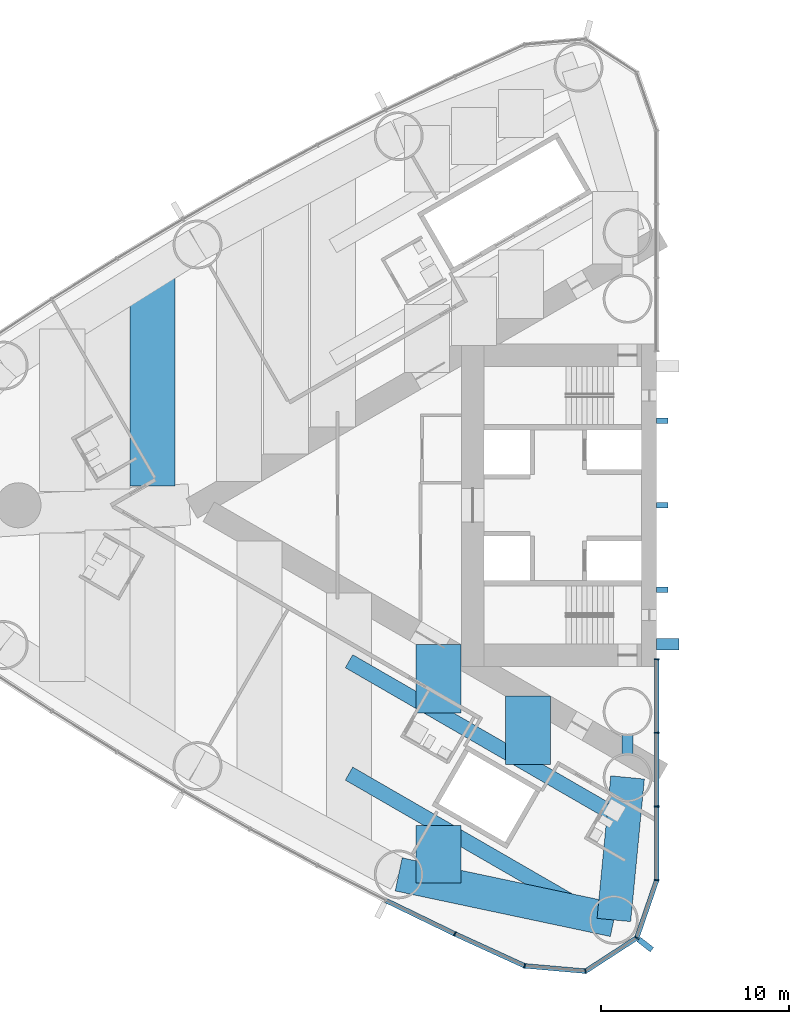
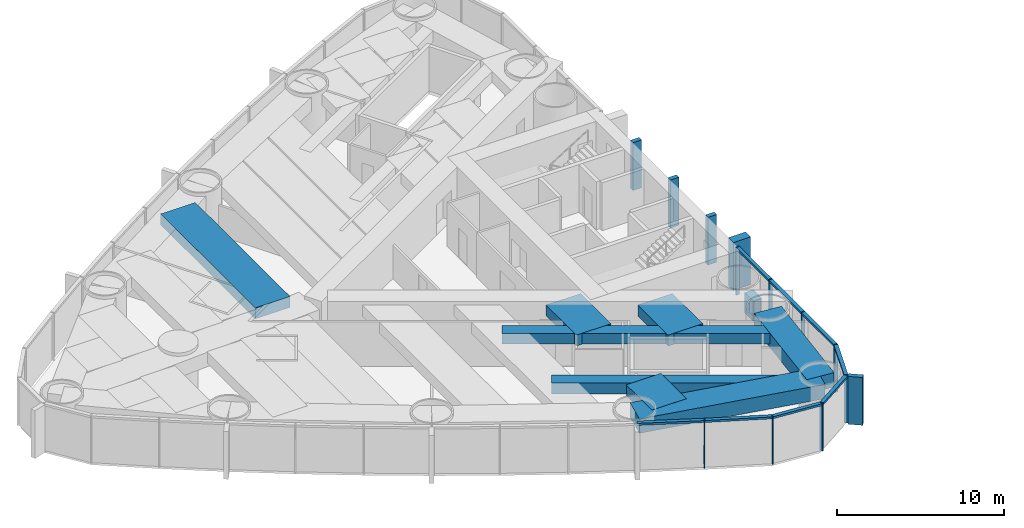
# One storey, part 3 of 18: 21 members, 9 beams, 1 element without a shape of its own.
"""IFC4 building model written with IfcOpenShell, lengths in metres."""

from ifc_helpers import new_model, si_unit, direction, frame, origin, origin_2d, place, context, subcontext, project, spatial, rectangle, hollow_rectangle, extrude, material, material_profile, profile_set, type_object, element, aggregate, save


model = new_model("IFC4")

# Units and contexts
model_context = context("Model", 3, precision=1e-05, world=origin(), true_north=direction((0.0, 1.0)))
body_context = subcontext(model_context, "Body", "Model", "MODEL_VIEW")
ifc_project = project(units=[si_unit("LENGTHUNIT", "METRE"), si_unit("AREAUNIT", "SQUARE_METRE"), si_unit("VOLUMEUNIT", "CUBIC_METRE"), si_unit("PLANEANGLEUNIT", "RADIAN"), si_unit("MASSUNIT", "GRAM", prefix="KILO")], contexts=[model_context])

# Site, building, storey
site_placement = place(None, origin())
site = spatial("IfcSite", under=ifc_project, at=site_placement, CompositionType="ELEMENT")
building_placement = place(site_placement, origin())
building = spatial("IfcBuilding", under=site, at=building_placement, Name="Lancet Gate Hotel", CompositionType="ELEMENT")
storey_placement = place(building_placement, frame((0.0, 0.0, 108.10009765625)))
storey = spatial("IfcBuildingStorey", under=building, at=storey_placement, Name="L28", CompositionType="ELEMENT", Elevation=108.10009765625)

# Curtain wall, members
ifc_material_1 = material(Name="Aluminium curtain wall", Category="aluminium")
curtain_wall_type = type_object("IfcCurtainWallType", Name="Tower unitised curtain wall", PredefinedType="USERDEFINED", material=ifc_material_1)
curtain_wall_placement = place(storey_placement, origin())
curtain_wall = element("IfcCurtainWall", 1, at=curtain_wall_placement, inside=storey, type_object=curtain_wall_type, Name="T1 L28 curtain wall 1", ObjectType="UNITISED CURTAIN WALL", PredefinedType="USERDEFINED")
ifc_material_2 = material(Name="Aluminium mullion", Category="aluminium")
ifc_material_profile_1 = material_profile(ifc_material_2, rectangle(XDim=0.06494140625, YDim=0.25, at=origin_2d()), Name="MULLION 65x250")
ifc_profile_set_1 = profile_set([ifc_material_profile_1], Name="Aluminium mullion")
member_type_1 = type_object("IfcMemberType", Name="Aluminium mullion 65x250", PredefinedType="MULLION", material=ifc_profile_set_1)
member_1_placement = place(storey_placement, frame((-38.25244140625, -22.83642578125, 0.0), z_axis=(0.0, 0.0, 1.0), x_axis=(0.904719609771, -0.426007544178, 0.0)))
member_1 = element("IfcMember", 2, at=member_1_placement, type_object=member_type_1, Name="T1 L28 curtain wall 1 mullion 29", PredefinedType="MULLION", context=body_context, shape_type="SweptSolid", body=[
    extrude(rectangle(XDim=0.06494140625, YDim=0.25, at=origin_2d()), origin(), (0.0, 0.0, 1.0), 3.5),
])
member_2_placement = place(storey_placement, frame((-34.5322265625, -24.53955078125, 0.0), z_axis=(0.0, 0.0, 1.0), x_axis=(0.961653318232, -0.27426792655, 0.0)))
member_2 = element("IfcMember", 3, at=member_2_placement, type_object=member_type_1, Name="T1 L28 curtain wall 1 mullion 30", PredefinedType="MULLION", context=body_context, shape_type="SweptSolid", body=[
    extrude(rectangle(XDim=0.06494140625, YDim=0.25, at=origin_2d()), origin(), (0.0, 0.0, 1.0), 3.5),
])
member_3_placement = place(storey_placement, frame((-31.289306640625, -24.822265625, 0.0), z_axis=(0.0, 0.0, 1.0), x_axis=(0.970242142288, 0.242136707934, 0.0)))
member_3 = element("IfcMember", 4, at=member_3_placement, type_object=member_type_1, Name="T1 L28 curtain wall 1 mullion 31", PredefinedType="MULLION", context=body_context, shape_type="SweptSolid", body=[
    extrude(rectangle(XDim=0.06494140625, YDim=0.25, at=origin_2d()), origin(), (0.0, 0.0, 1.0), 3.5),
])
member_4_placement = place(storey_placement, frame((-28.5595703125, -23.049072265625, 0.0), z_axis=(0.0, 0.0, 1.0), x_axis=(0.615574240878, 0.788078900851, 0.0)))
member_4 = element("IfcMember", 5, at=member_4_placement, type_object=member_type_1, Name="T1 L28 curtain wall 1 mullion 32", PredefinedType="MULLION", context=body_context, shape_type="SweptSolid", body=[
    extrude(rectangle(XDim=0.06494140625, YDim=0.25, at=origin_2d()), origin(), (0.0, 0.0, 1.0), 3.5),
])
member_5_placement = place(storey_placement, frame((-27.5, -19.97119140625, 0.0), z_axis=(0.0, 0.0, 1.0), x_axis=(0.149634446211, 0.988741388082, 0.0)))
member_5 = element("IfcMember", 6, at=member_5_placement, type_object=member_type_1, Name="T1 L28 curtain wall 1 mullion 33", PredefinedType="MULLION", context=body_context, shape_type="SweptSolid", body=[
    extrude(rectangle(XDim=0.06494140625, YDim=0.25, at=origin_2d()), origin(), (0.0, 0.0, 1.0), 3.5),
])
member_6_placement = place(storey_placement, frame((-27.5, -16.04736328125, 0.0), z_axis=(0.0, 0.0, 1.0), x_axis=(0.0, 1.0, 0.0)))
member_6 = element("IfcMember", 7, at=member_6_placement, type_object=member_type_1, Name="T1 L28 curtain wall 1 mullion 34", PredefinedType="MULLION", context=body_context, shape_type="SweptSolid", body=[
    extrude(rectangle(XDim=0.06494140625, YDim=0.25, at=origin_2d()), origin(), (0.0, 0.0, 1.0), 3.5),
])
member_7_placement = place(storey_placement, frame((-27.5, -12.123779296875, 0.0), z_axis=(0.0, 0.0, 1.0), x_axis=(0.0, 1.0, 0.0)))
member_7 = element("IfcMember", 8, at=member_7_placement, type_object=member_type_1, Name="T1 L28 curtain wall 1 mullion 35", PredefinedType="MULLION", context=body_context, shape_type="SweptSolid", body=[
    extrude(rectangle(XDim=0.06494140625, YDim=0.25, at=origin_2d()), origin(), (0.0, 0.0, 1.0), 3.5),
])
member_8_placement = place(storey_placement, frame((-27.5, -8.199951171875, 0.0), z_axis=(0.0, 0.0, 1.0), x_axis=(0.0, 1.0, 0.0)))
member_8 = element("IfcMember", 9, at=member_8_placement, type_object=member_type_1, Name="T1 L28 curtain wall 1 mullion 36", PredefinedType="MULLION", context=body_context, shape_type="SweptSolid", body=[
    extrude(rectangle(XDim=0.06494140625, YDim=0.25, at=origin_2d()), origin(), (0.0, 0.0, 1.0), 3.5),
])
ifc_material_3 = material(Name="Aluminium transom", Category="aluminium")
ifc_material_profile_2 = material_profile(ifc_material_3, rectangle(XDim=0.25, YDim=0.14990234375, at=origin_2d()), Name="TRANSOM 250x150")
ifc_profile_set_2 = profile_set([ifc_material_profile_2], Name="Aluminium transom")
member_type_2 = type_object("IfcMemberType", Name="Aluminium transom 250x150", PredefinedType="USERDEFINED", material=ifc_profile_set_2)
member_9_placement = place(storey_placement, frame((-41.906005859375, -21.067626953125, 3.4248046875), z_axis=(0.900065677074, -0.435754262117, 0.0), x_axis=(0.435754262117, 0.900065677074, 0.0)))
member_9 = element("IfcMember", 10, at=member_9_placement, type_object=member_type_2, Name="T1 L28 curtain wall 1 transom 28", ObjectType="TRANSOM", PredefinedType="USERDEFINED", context=body_context, shape_type="SweptSolid", body=[
    extrude(rectangle(XDim=0.25, YDim=0.14990234375, at=origin_2d()), origin(), (0.0, 0.0, 1.0), 4.026611328125),
])
member_10_placement = place(storey_placement, frame((-38.222900390625, -22.849853515625, 3.4248046875), z_axis=(0.909252284196, -0.416245460857, 0.0), x_axis=(0.416245460857, 0.909252284196, 0.0)))
member_10 = element("IfcMember", 11, at=member_10_placement, type_object=member_type_2, Name="T1 L28 curtain wall 1 transom 29", ObjectType="TRANSOM", PredefinedType="USERDEFINED", context=body_context, shape_type="SweptSolid", body=[
    extrude(rectangle(XDim=0.25, YDim=0.14990234375, at=origin_2d()), origin(), (0.0, 0.0, 1.0), 4.026611328125),
])
member_11_placement = place(storey_placement, frame((-34.499755859375, -24.542236328125, 3.4248046875), z_axis=(0.996213545522, -0.086940046686, 0.0), x_axis=(0.086940046686, 0.996213545522, 0.0)))
member_11 = element("IfcMember", 12, at=member_11_placement, type_object=member_type_2, Name="T1 L28 curtain wall 1 transom 30", ObjectType="TRANSOM", PredefinedType="USERDEFINED", context=body_context, shape_type="SweptSolid", body=[
    extrude(rectangle(XDim=0.25, YDim=0.14990234375, at=origin_2d()), origin(), (0.0, 0.0, 1.0), 3.18994140625),
])
member_12_placement = place(storey_placement, frame((-31.261962890625, -24.8046875, 3.4248046875), z_axis=(0.838550259452, 0.544824249068, 0.0), x_axis=(-0.544824249068, 0.838550259452, 0.0)))
member_12 = element("IfcMember", 13, at=member_12_placement, type_object=member_type_2, Name="T1 L28 curtain wall 1 transom 31", ObjectType="TRANSOM", PredefinedType="USERDEFINED", context=body_context, shape_type="SweptSolid", body=[
    extrude(rectangle(XDim=0.25, YDim=0.14990234375, at=origin_2d()), origin(), (0.0, 0.0, 1.0), 3.190185546875),
])
member_13_placement = place(storey_placement, frame((-28.549072265625, -23.018310546875, 3.4248046875), z_axis=(0.32553312754, 0.945530635609, 0.0), x_axis=(-0.945530635609, 0.32553312754, 0.0)))
member_13 = element("IfcMember", 14, at=member_13_placement, type_object=member_type_2, Name="T1 L28 curtain wall 1 transom 32", ObjectType="TRANSOM", PredefinedType="USERDEFINED", context=body_context, shape_type="SweptSolid", body=[
    extrude(rectangle(XDim=0.25, YDim=0.14990234375, at=origin_2d()), origin(), (0.0, 0.0, 1.0), 3.1904296875),
])
member_14_placement = place(storey_placement, frame((-27.5, -19.9384765625, 3.4248046875), z_axis=(0.0, 1.0, 0.0), x_axis=(-1.0, 0.0, 0.0)))
member_14 = element("IfcMember", 15, at=member_14_placement, type_object=member_type_2, Name="T1 L28 curtain wall 1 transom 33", ObjectType="TRANSOM", PredefinedType="USERDEFINED", context=body_context, shape_type="SweptSolid", body=[
    extrude(rectangle(XDim=0.25, YDim=0.14990234375, at=origin_2d()), origin(), (0.0, 0.0, 1.0), 3.858642578125),
])
member_15_placement = place(storey_placement, frame((-27.5, -16.014892578125, 3.4248046875), z_axis=(0.0, 1.0, 0.0), x_axis=(-1.0, 0.0, 0.0)))
member_15 = element("IfcMember", 16, at=member_15_placement, type_object=member_type_2, Name="T1 L28 curtain wall 1 transom 34", ObjectType="TRANSOM", PredefinedType="USERDEFINED", context=body_context, shape_type="SweptSolid", body=[
    extrude(rectangle(XDim=0.25, YDim=0.14990234375, at=origin_2d()), origin(), (0.0, 0.0, 1.0), 3.858642578125),
])
member_16_placement = place(storey_placement, frame((-27.5, -12.09130859375, 3.4248046875), z_axis=(0.0, 1.0, 0.0), x_axis=(-1.0, 0.0, 0.0)))
member_16 = element("IfcMember", 17, at=member_16_placement, type_object=member_type_2, Name="T1 L28 curtain wall 1 transom 35", ObjectType="TRANSOM", PredefinedType="USERDEFINED", context=body_context, shape_type="SweptSolid", body=[
    extrude(rectangle(XDim=0.25, YDim=0.14990234375, at=origin_2d()), origin(), (0.0, 0.0, 1.0), 3.85888671875),
])

# Beams
ifc_material_4 = material(Name="Concrete C50/60", Category="concrete")
ifc_material_profile_3 = material_profile(ifc_material_4, rectangle(XDim=1.800048828125, YDim=1.050048828125, at=origin_2d()), Name="RC 1800x1050")
ifc_profile_set_3 = profile_set([ifc_material_profile_3], Name="Concrete C50/60")
beam_type_1 = type_object("IfcBeamType", Name="Edge beam RC 1800x1050", PredefinedType="SPANDREL", material=ifc_profile_set_3)
beam_1_placement = place(storey_placement, frame((-41.244873046875, -19.665771484375, 2.724853515625), z_axis=(0.978282156247, -0.207277646573, 0.0), x_axis=(0.207277646573, 0.978282156247, 0.0)))
element("IfcBeam", 18, at=beam_1_placement, inside=storey, type_object=beam_type_1, Name="T1 edge beam EB1 L28", PredefinedType="SPANDREL", context=body_context, shape_type="SweptSolid", body=[
    extrude(rectangle(XDim=1.800048828125, YDim=1.050048828125, at=origin_2d()), origin(), (0.0, 0.0, 1.0), 11.71826171875),
])
beam_2_placement = place(storey_placement, frame((-29.050048828125, -14.5, 2.724853515625), z_axis=(-0.095802643786, -0.995400348324, 0.0), x_axis=(0.995400348324, -0.095802643786, 0.0)))
element("IfcBeam", 19, at=beam_2_placement, inside=storey, type_object=beam_type_1, Name="T1 edge beam EB1 L28", PredefinedType="SPANDREL", context=body_context, shape_type="SweptSolid", body=[
    extrude(rectangle(XDim=1.800048828125, YDim=1.050048828125, at=origin_2d()), origin(), (0.0, 0.0, 1.0), 7.6298828125),
])

# Member
ifc_material_5 = material(Name="Concrete C60/75", Category="concrete")
ifc_material_profile_4 = material_profile(ifc_material_5, rectangle(XDim=0.60009765625, YDim=1.199951171875, at=origin_2d()), Name="FIN 600x1200")
ifc_profile_set_4 = profile_set([ifc_material_profile_4], Name="Concrete C60/75")
member_type_3 = type_object("IfcMemberType", Name="Exposed concrete buttress pilaster 600x1200", PredefinedType="USERDEFINED", material=ifc_profile_set_4)
member_17_placement = place(storey_placement, frame((-26.909912109375, -7.39990234375, 0.0), z_axis=(0.0, 0.0, 1.0), x_axis=(0.0, 1.0, 0.0)))
element("IfcMember", 20, at=member_17_placement, inside=storey, type_object=member_type_3, Name="T1 buttress pilaster N L28", ObjectType="FIN", PredefinedType="USERDEFINED", context=body_context, shape_type="SweptSolid", body=[
    extrude(rectangle(XDim=0.60009765625, YDim=1.199951171875, at=origin_2d()), origin(), (0.0, 0.0, 1.0), 3.5),
])

ifc_material_6 = material(Name="Precast concrete C50/60", Category="concrete")
ifc_material_profile_5 = material_profile(ifc_material_6, rectangle(XDim=0.300048828125, YDim=0.89990234375, at=origin_2d()), Name="FIN 300x900")
ifc_profile_set_5 = profile_set([ifc_material_profile_5], Name="Precast concrete C50/60")
member_type_4 = type_object("IfcMemberType", Name="Exposed concrete fin 300x900", PredefinedType="USERDEFINED", material=ifc_profile_set_5)
member_18_placement = place(storey_placement, frame((-28.1064453125, -23.40283203125, 0.0), z_axis=(0.0, 0.0, 1.0), x_axis=(0.615574240878, 0.788078900851, 0.0)))
member_18 = element("IfcMember", 21, at=member_18_placement, type_object=member_type_4, Name="T1 L28 curtain wall 1 fin 32", ObjectType="FIN", PredefinedType="USERDEFINED", context=body_context, shape_type="SweptSolid", body=[
    extrude(rectangle(XDim=0.300048828125, YDim=0.89990234375, at=origin_2d()), origin(), (0.0, 0.0, 1.0), 3.5),
])

aggregate(curtain_wall, [member_1, member_2, member_3, member_4, member_18, member_5, member_6, member_7, member_8, member_9, member_10, member_11, member_12, member_13, member_14, member_15, member_16])

# Members
ifc_material_7 = material(Name="Concrete C60/75", Category="concrete")
ifc_material_profile_6 = material_profile(ifc_material_7, rectangle(XDim=0.300048828125, YDim=0.60009765625, at=origin_2d()), Name="FIN 300x600")
ifc_profile_set_6 = profile_set([ifc_material_profile_6], Name="Concrete C60/75")
member_type_5 = type_object("IfcMemberType", Name="Exposed concrete rib 300x600", PredefinedType="USERDEFINED", material=ifc_profile_set_6)
for number, where, z_axis, x_axis, name in (
    (22, (-27.2099609375, 4.5, 0.0), (0.0, 0.0, 1.0), (0.0, 1.0, 0.0), "T1 core rib 1 L28"),
    (23, (-27.2099609375, 0.0, 0.0), (0.0, 0.0, 1.0), (0.0, 1.0, 0.0), "T1 core rib 2 L28"),
    (24, (-27.2099609375, -4.5, 0.0), (0.0, 0.0, 1.0), (0.0, 1.0, 0.0), "T1 core rib 3 L28"),
):
    element("IfcMember", number, at=place(storey_placement, frame(where, z_axis=z_axis, x_axis=x_axis)), inside=storey, type_object=member_type_5, Name=name, ObjectType="FIN", PredefinedType="USERDEFINED", context=body_context, shape_type="SweptSolid", body=[
        extrude(rectangle(XDim=0.300048828125, YDim=0.60009765625, at=origin_2d()), origin(), (0.0, 0.0, 1.0), 3.5),
    ])

# Beams
ifc_material_8 = material(Name="Concrete C50/60", Category="concrete")
ifc_material_profile_7 = material_profile(ifc_material_8, rectangle(XDim=2.39990234375, YDim=0.800048828125, at=origin_2d()), Name="RC 2400x800")
ifc_profile_set_7 = profile_set([ifc_material_profile_7], Name="Concrete C50/60")
beam_type_2 = type_object("IfcBeamType", Name="Floor beam RC 2400x800", PredefinedType="BEAM", material=ifc_profile_set_7)
beam_3_placement = place(storey_placement, frame((-54.3681640625, 12.392333984375, 2.849853515625), z_axis=(0.0, -1.0, 0.0), x_axis=(1.0, 0.0, 0.0)))
element("IfcBeam", 25, at=beam_3_placement, inside=storey, type_object=beam_type_2, Name="T1 floor beam F13S L28", PredefinedType="BEAM", context=body_context, shape_type="SweptSolid", body=[
    extrude(rectangle(XDim=2.39990234375, YDim=0.800048828125, at=origin_2d()), origin(), (0.0, 0.0, 1.0), 11.364990234375),
])
beam_4_placement = place(storey_placement, frame((-34.353515625, -10.169921875, 2.849853515625), z_axis=(0.0, -1.0, 0.0), x_axis=(1.0, 0.0, 0.0)))
element("IfcBeam", 26, at=beam_4_placement, inside=storey, type_object=beam_type_2, Name="T1 floor beam F03NA L28", PredefinedType="BEAM", context=body_context, shape_type="SweptSolid", body=[
    extrude(rectangle(XDim=2.39990234375, YDim=0.800048828125, at=origin_2d()), origin(), (0.0, 0.0, 1.0), 3.645751953125),
])
beam_5_placement = place(storey_placement, frame((-39.122314453125, -7.41650390625, 2.849853515625), z_axis=(0.0, -1.0, 0.0), x_axis=(1.0, 0.0, 0.0)))
element("IfcBeam", 27, at=beam_5_placement, inside=storey, type_object=beam_type_2, Name="T1 floor beam F06NA L28", PredefinedType="BEAM", context=body_context, shape_type="SweptSolid", body=[
    extrude(rectangle(XDim=2.39990234375, YDim=0.800048828125, at=origin_2d()), origin(), (0.0, 0.0, 1.0), 3.64599609375),
])
beam_6_placement = place(storey_placement, frame((-39.122314453125, -17.0498046875, 2.849853515625), z_axis=(0.0, -1.0, 0.0), x_axis=(1.0, 0.0, 0.0)))
element("IfcBeam", 28, at=beam_6_placement, inside=storey, type_object=beam_type_2, Name="T1 floor beam F06NB L28", PredefinedType="BEAM", context=body_context, shape_type="SweptSolid", body=[
    extrude(rectangle(XDim=2.39990234375, YDim=0.800048828125, at=origin_2d()), origin(), (0.0, 0.0, 1.0), 3.065673828125),
])
ifc_material_9 = material(Name="Steel S460QL", Category="steel")
ifc_material_profile_8 = material_profile(ifc_material_9, hollow_rectangle(XDim=0.60009765625, YDim=1.5, WallThickness=0.050048828125, at=origin_2d()), Name="BOX 1500x600x50")
ifc_profile_set_8 = profile_set([ifc_material_profile_8], Name="Steel S460QL")
beam_type_3 = type_object("IfcBeamType", Name="Inner-face link beam BOX 1500x600x50", PredefinedType="BEAM", material=ifc_profile_set_8)
beam_7_placement = place(storey_placement, frame((-29.050048828125, -12.25, 2.5), z_axis=(0.0, -1.0, 0.0), x_axis=(1.0, 0.0, 0.0)))
element("IfcBeam", 29, at=beam_7_placement, inside=storey, type_object=beam_type_3, Name="T1 inner-face link beam LK1 L28", PredefinedType="BEAM", context=body_context, shape_type="SweptSolid", body=[
    extrude(hollow_rectangle(XDim=0.60009765625, YDim=1.5, WallThickness=0.050048828125, at=origin_2d()), origin(), (0.0, 0.0, 1.0), 1.0),
])
ifc_material_10 = material(Name="Steel S460QL", Category="steel")
ifc_material_profile_9 = material_profile(ifc_material_10, hollow_rectangle(XDim=0.800048828125, YDim=0.800048828125, WallThickness=0.080078125, at=origin_2d()), Name="BOX 800x800x80")
ifc_profile_set_9 = profile_set([ifc_material_profile_9], Name="Steel S460QL")
beam_type_4 = type_object("IfcBeamType", Name="Trimmer beam BOX 800x800x80", PredefinedType="BEAM", material=ifc_profile_set_9)
beam_8_placement = place(storey_placement, frame((-29.58447265625, -16.56884765625, 2.849853515625), z_axis=(-0.866040141834, 0.49997447208, 0.0), x_axis=(-0.49997447208, -0.866040141834, 0.0)))
element("IfcBeam", 30, at=beam_8_placement, inside=storey, type_object=beam_type_4, Name="T1 trimmer beam TR01N L28", PredefinedType="BEAM", context=body_context, shape_type="SweptSolid", body=[
    extrude(hollow_rectangle(XDim=0.800048828125, YDim=0.800048828125, WallThickness=0.080078125, at=origin_2d()), origin(), (0.0, 0.0, 1.0), 16.519775390625),
])
beam_9_placement = place(storey_placement, frame((-30.982421875, -21.7490234375, 2.849853515625), z_axis=(-0.866042392862, 0.4999705729, 0.0), x_axis=(-0.4999705729, -0.866042392862, 0.0)))
element("IfcBeam", 31, at=beam_9_placement, inside=storey, type_object=beam_type_4, Name="T1 trimmer beam TR03N L28", PredefinedType="BEAM", context=body_context, shape_type="SweptSolid", body=[
    extrude(hollow_rectangle(XDim=0.800048828125, YDim=0.800048828125, WallThickness=0.080078125, at=origin_2d()), origin(), (0.0, 0.0, 1.0), 14.90576171875),
])

save(model, "model.ifc")
